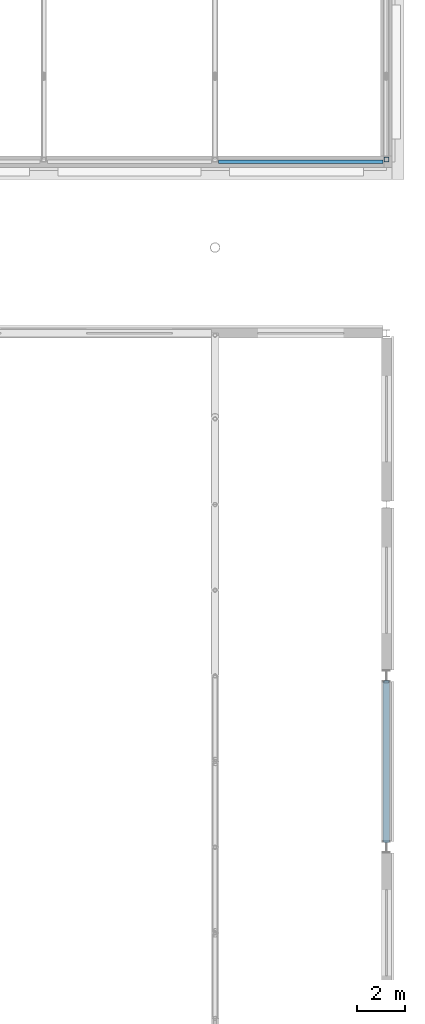
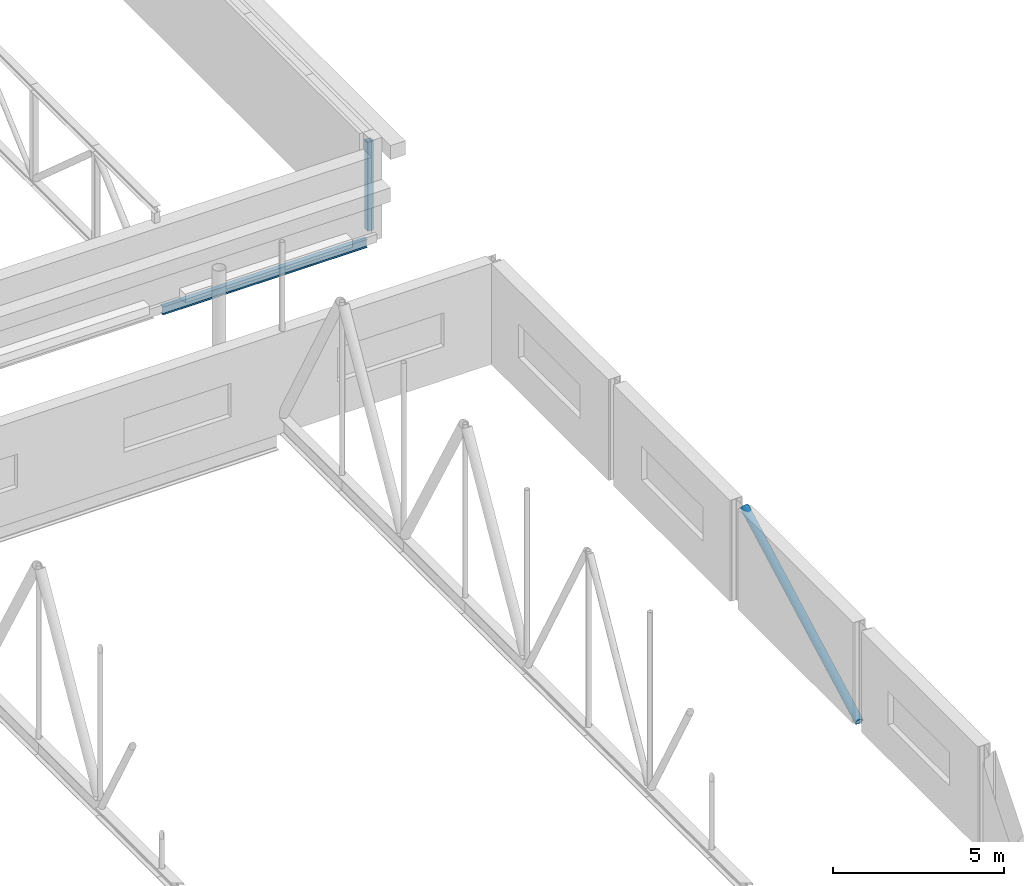
# One storey, part 79 of 142: 2 members, 1 beam.
"""IFC4 building model written with IfcOpenShell, lengths in metres."""

from ifc_helpers import new_model, si_unit, direction, frame, origin, origin_2d, place, context, subcontext, project, spatial, hollow_rectangle, hollow_circle, i_section, extrude, material, material_profile, profile_set, type_object, element, save


model = new_model("IFC4")

# Units and contexts
model_context = context("Model", 3, precision=1e-05, world=origin(), true_north=direction((0.0, 1.0)))
body_context = subcontext(model_context, "Body", "Model", "MODEL_VIEW")
ifc_project = project(units=[si_unit("LENGTHUNIT", "METRE"), si_unit("AREAUNIT", "SQUARE_METRE"), si_unit("VOLUMEUNIT", "CUBIC_METRE"), si_unit("PLANEANGLEUNIT", "RADIAN"), si_unit("MASSUNIT", "GRAM", prefix="KILO")], contexts=[model_context])

# Site, building, storey
site_placement = place(None, origin())
site = spatial("IfcSite", under=ifc_project, at=site_placement, CompositionType="ELEMENT")
building_placement = place(site_placement, origin())
building = spatial("IfcBuilding", under=site, at=building_placement, Name="Kupolbacken Congress Centre", CompositionType="ELEMENT")
storey_placement = place(building_placement, frame((0.0, 0.0, 14.39990234375)))
storey = spatial("IfcBuildingStorey", under=building, at=storey_placement, Name="L04", CompositionType="ELEMENT", Elevation=14.39990234375)

# Beam
ifc_material_1 = material(Name="Steel S355", Category="steel")
ifc_material_profile_1 = material_profile(ifc_material_1, i_section(OverallWidth=0.14990234375, OverallDepth=0.300048828125, WebThickness=0.007080078125, FlangeThickness=0.0107421875, FilletRadius=0.014892578125, at=origin_2d()), Name="IPE 300")
ifc_profile_set_1 = profile_set([ifc_material_profile_1], Name="Steel S355")
beam_type = type_object("IfcBeamType", Name="B04 beam IPE 300", PredefinedType="BEAM", material=ifc_profile_set_1)
beam_placement = place(storey_placement, frame((194.550048828125, 122.39990234375, -0.14990234375), z_axis=(1.0, 0.0, 0.0), x_axis=(0.0, 1.0, 0.0)))
element("IfcBeam", 1, at=beam_placement, inside=storey, type_object=beam_type, Name="Edge girder", PredefinedType="BEAM", context=body_context, shape_type="SweptSolid", body=[
    extrude(i_section(OverallWidth=0.14990234375, OverallDepth=0.300048828125, WebThickness=0.007080078125, FlangeThickness=0.0107421875, FilletRadius=0.014892578125, at=origin_2d()), origin(), (0.0, 0.0, 1.0), 6.89990234375),
])

# Members
ifc_material_2 = material(Name="Steel S355", Category="steel")
ifc_material_profile_2 = material_profile(ifc_material_2, hollow_circle(Radius=0.136474609375, WallThickness=0.012451171875, at=origin_2d()), Name="CHS 273 x 12.5")
ifc_profile_set_2 = profile_set([ifc_material_profile_2], Name="Steel S355")
member_type_1 = type_object("IfcMemberType", Name="M08 brace CHS 273 x 12.5", PredefinedType="BRACE", material=ifc_profile_set_2)
member_1_placement = place(storey_placement, frame((201.60009765625, 93.844970703125, 0.0), z_axis=(0.0, 0.881180466795, 0.472780059793), x_axis=(-1.0, 0.0, 0.0)))
element("IfcMember", 2, at=member_1_placement, inside=storey, type_object=member_type_1, Name="S/brace/E/08/05", PredefinedType="BRACE", context=body_context, shape_type="SweptSolid", body=[
    extrude(hollow_circle(Radius=0.136474609375, WallThickness=0.012451171875, at=origin_2d()), origin(), (0.0, 0.0, 1.0), 7.61474609375),
])
ifc_material_3 = material(Name="Steel S355", Category="steel")
ifc_material_profile_3 = material_profile(ifc_material_3, hollow_rectangle(XDim=0.199951171875, YDim=0.199951171875, WallThickness=0.010009765625, InnerFilletRadius=0.010009765625, OuterFilletRadius=0.014892578125, at=origin_2d()), Name="SHS 200 x 200 x 10")
ifc_profile_set_3 = profile_set([ifc_material_profile_3], Name="Steel S355")
member_type_2 = type_object("IfcMemberType", Name="M10 transfer truss post SHS 200 x 200 x 10", PredefinedType="STRUT", material=ifc_profile_set_3)
member_2_placement = place(storey_placement, frame((201.60009765625, 122.5, 0.210205078125), z_axis=(0.0, 0.0, 1.0), x_axis=(0.0, 1.0, 0.0)))
element("IfcMember", 3, at=member_2_placement, inside=storey, type_object=member_type_2, Name="BT/B8/P00", PredefinedType="STRUT", context=body_context, shape_type="SweptSolid", body=[
    extrude(hollow_rectangle(XDim=0.199951171875, YDim=0.199951171875, WallThickness=0.010009765625, InnerFilletRadius=0.010009765625, OuterFilletRadius=0.014892578125, at=origin_2d()), origin(), (0.0, 0.0, 1.0), 3.169921875),
])

save(model, "model.ifc")
